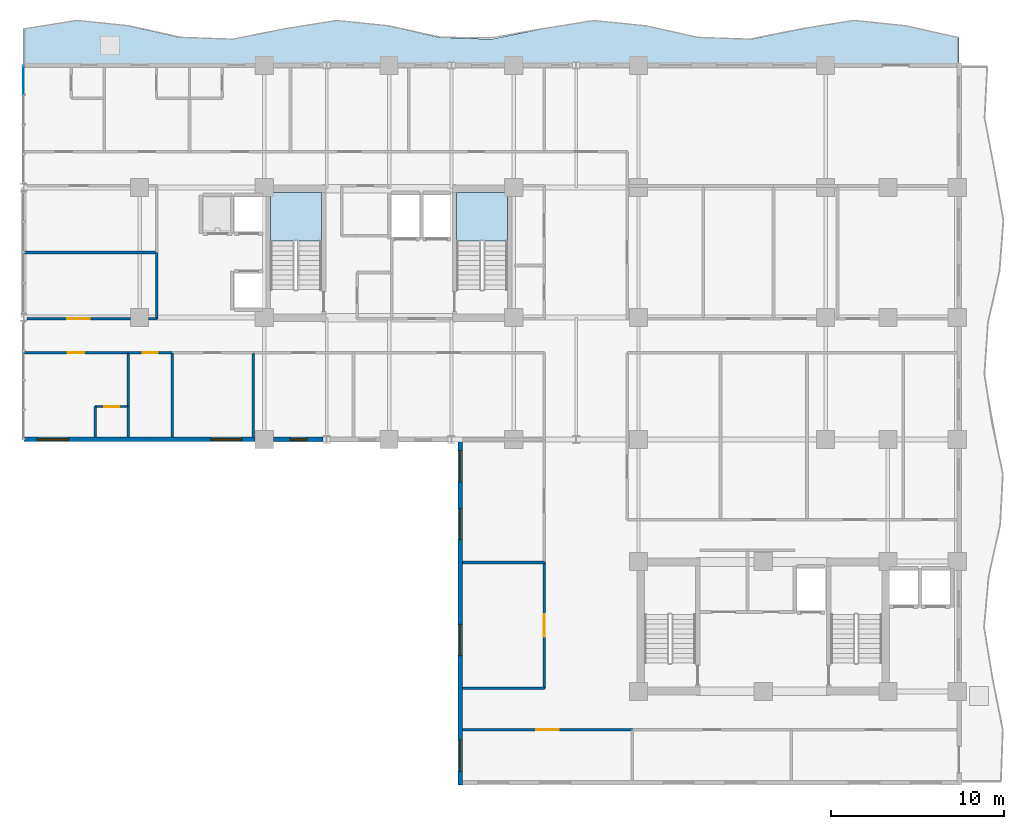
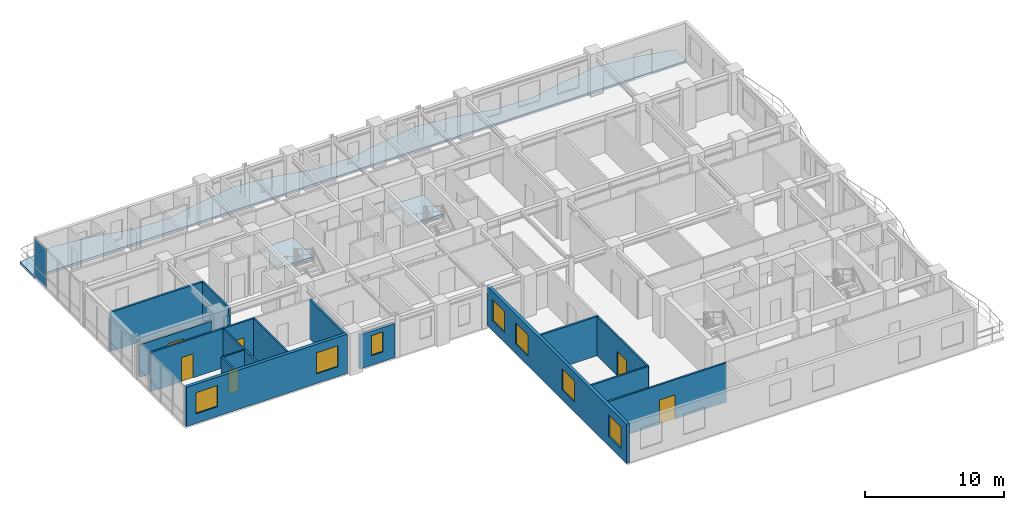
# One storey, part 10 of 20: 19 walls, 7 windows, 6 doors, 3 slabs, 2 plates, 13 openings, 3 elements without a shape of their own.
"""IFC4 building model written with IfcOpenShell, lengths in metres."""

from ifc_helpers import new_model, si_unit, direction, frame, frame_2d, origin, origin_2d, place, context, subcontext, project, spatial, polyline, rectangle, outline, extrude, source, transform, mapped, material, layer, layer_set, type_object, element, fill, aggregate, save


model = new_model("IFC4")

# Units and contexts
model_context = context("Model", 3, precision=1e-05, world=origin(), true_north=direction((0.0, 1.0)))
body_context = subcontext(model_context, "Body", "Model", "MODEL_VIEW")
ifc_project = project(units=[si_unit("LENGTHUNIT", "METRE"), si_unit("AREAUNIT", "SQUARE_METRE"), si_unit("VOLUMEUNIT", "CUBIC_METRE"), si_unit("PLANEANGLEUNIT", "RADIAN"), si_unit("MASSUNIT", "GRAM", prefix="KILO")], contexts=[model_context])

# Site, building, storey
site_placement = place(None, origin())
site = spatial("IfcSite", under=ifc_project, at=site_placement, CompositionType="ELEMENT")
building_placement = place(site_placement, origin())
building = spatial("IfcBuilding", under=site, at=building_placement, Name="Kaliganga Portal Commons", CompositionType="ELEMENT")
storey_placement = place(building_placement, frame((0.0, 0.0, 155.0)))
storey = spatial("IfcBuildingStorey", under=building, at=storey_placement, Name="L39", CompositionType="ELEMENT", Elevation=155.0)

# Slab
ifc_material_1 = material(Name="Concrete C40/50", Category="concrete")
ifc_layer_1 = layer(ifc_material_1, 0.2099609375)
ifc_layer_set_1 = layer_set([ifc_layer_1], Name="Concrete C40/50")
slab_type_1 = type_object("IfcSlabType", Name="SLB-BALC-210", PredefinedType="FLOOR", material=ifc_layer_set_1)
slab_1_placement = place(storey_placement, frame((0.0, 0.0, -0.2099609375)))
element("IfcSlab", 1, at=slab_1_placement, inside=storey, type_object=slab_type_1, Name="Scalloped Tree-Planter Balcony Slab L39 balc_north", PredefinedType="FLOOR", context=body_context, shape_type="SweptSolid", body=[
    extrude(outline(polyline([(54.5, 43.199951171875), (54.5, 44.8125), (51.5, 45.484130859375), (48.5, 45.79296875), (45.5, 45.31201171875), (42.5, 44.7060546875), (39.5, 44.8125), (36.5, 45.484130859375), (33.5, 45.79296875), (30.5, 45.31201171875), (27.5, 44.7060546875), (24.5, 44.8125), (21.5, 45.484130859375), (18.5, 45.79296875), (15.5, 45.31201171875), (12.5, 44.7060546875), (9.5, 44.8125), (6.5, 45.484130859375), (3.5, 45.79296875), (0.5, 45.31201171875), (0.5, 43.199951171875), (54.5, 43.199951171875)])), origin(), (0.0, 0.0, 1.0), 0.2099609375),
])

# Stair, slab
stair_type = type_object("IfcStairType", Name="ST-CORE-DOGLEG", PredefinedType="HALF_TURN_STAIR", material=ifc_material_1)
stair_1_placement = place(storey_placement, origin())
stair_1 = element("IfcStair", 2, at=stair_1_placement, inside=storey, type_object=stair_type, Name="L39 Protected Exit Stair ST-A1", PredefinedType="HALF_TURN_STAIR")
ifc_layer_2 = layer(ifc_material_1, 0.199951171875)
ifc_layer_set_2 = layer_set([ifc_layer_2], Name="Concrete C40/50")
slab_type_2 = type_object("IfcSlabType", Name="SLB-STAIR-LND", PredefinedType="LANDING", material=ifc_layer_set_2)
slab_2_placement = place(storey_placement, frame((0.0, 0.0, 1.64990234375)))
slab_2 = element("IfcSlab", 3, at=slab_2_placement, type_object=slab_type_2, Name="ST-A1 landing 1", PredefinedType="LANDING", context=body_context, shape_type="SweptSolid", body=[
    extrude(outline(polyline([(17.699951171875, 33.050048828125), (17.699951171875, 35.85009765625), (14.75, 35.85009765625), (14.75, 33.050048828125), (17.699951171875, 33.050048828125)])), origin(), (0.0, 0.0, 1.0), 0.2001953125),
])
aggregate(stair_1, [slab_2])

stair_2_placement = place(storey_placement, origin())
stair_2 = element("IfcStair", 4, at=stair_2_placement, inside=storey, type_object=stair_type, Name="L39 Protected Exit Stair ST-A2", PredefinedType="HALF_TURN_STAIR")
slab_3_placement = place(storey_placement, frame((0.0, 0.0, 1.64990234375)))
slab_3 = element("IfcSlab", 5, at=slab_3_placement, type_object=slab_type_2, Name="ST-A2 landing 1", PredefinedType="LANDING", context=body_context, shape_type="SweptSolid", body=[
    extrude(outline(polyline([(28.449951171875, 33.050048828125), (28.449951171875, 35.85009765625), (25.5, 35.85009765625), (25.5, 33.050048828125), (28.449951171875, 33.050048828125)])), origin(), (0.0, 0.0, 1.0), 0.2001953125),
])
aggregate(stair_2, [slab_3])

# Curtain wall, plates
ifc_material_2 = material(Name="Anodized Aluminium and Laminated Low-E Glass", Category="aluminium")
ifc_layer_3 = layer(ifc_material_2, 0.199951171875)
ifc_layer_set_3 = layer_set([ifc_layer_3], Name="Anodized Aluminium and Laminated Low-E Glass")
curtain_wall_type = type_object("IfcCurtainWallType", Name="CW-SYS-02", PredefinedType="NOTDEFINED", material=ifc_layer_set_3)
curtain_wall_placement = place(storey_placement, origin())
curtain_wall = element("IfcCurtainWall", 6, at=curtain_wall_placement, inside=storey, type_object=curtain_wall_type, Name="CW 02 L39 P1E03S1", PredefinedType="NOTDEFINED")
ifc_material_3 = material(Name="Insulated Dark Spandrel Panel", Category="metal")
ifc_layer_4 = layer(ifc_material_3, 0.044921875)
ifc_layer_set_4 = layer_set([ifc_layer_4], Name="Insulated Dark Spandrel Panel")
plate_type_1 = type_object("IfcPlateType", Name="PLT-SPN-45", PredefinedType="SHEET", material=ifc_layer_set_4)
shared_shape_1 = source(origin(), body_context, "Body", "SweptSolid", [
    extrude(rectangle(XDim=1.67041015625, YDim=0.044921875, at=origin_2d()), origin(), (0.0, 0.0, 1.0), 0.929931640625),
])
plate_1_placement = place(storey_placement, frame((0.5, 42.3447265625, 0.01025390625), z_axis=(0.0, 0.0, 1.0), x_axis=(0.0, -1.0, 0.0)))
plate_1 = element("IfcPlate", 7, at=plate_1_placement, type_object=plate_type_1, Name="CW:02:L39:P1E03S1 Spandrel 00", PredefinedType="SHEET", context=body_context, shape_type="MappedRepresentation", body=[
    mapped(shared_shape_1, transform((0.0, 0.0, 0.0), x_axis=(1.0, 0.0, 0.0), y_axis=(0.0, 1.0, 0.0), z_axis=(0.0, 0.0, 1.0), scale=1.0)),
])
ifc_material_4 = material(Name="Dark Solar-Control Laminated Low-E IGU", Category="glass")
ifc_layer_5 = layer(ifc_material_4, 0.028076171875)
ifc_layer_set_5 = layer_set([ifc_layer_5], Name="Dark Solar-Control Laminated Low-E IGU")
plate_type_2 = type_object("IfcPlateType", Name="PLT-GLZ-28", PredefinedType="CURTAIN_PANEL", material=ifc_layer_set_5)
shared_shape_2 = source(origin(), body_context, "Body", "SweptSolid", [
    extrude(rectangle(XDim=1.67041015625, YDim=0.028076171875, at=origin_2d()), origin(), (0.0, 0.0, 1.0), 2.409912109375),
])
plate_2_placement = place(storey_placement, frame((0.5, 42.3447265625, 0.9599609375), z_axis=(0.0, 0.0, 1.0), x_axis=(0.0, -1.0, 0.0)))
plate_2 = element("IfcPlate", 8, at=plate_2_placement, type_object=plate_type_2, Name="CW:02:L39:P1E03S1 Vision IGU 00", PredefinedType="CURTAIN_PANEL", context=body_context, shape_type="MappedRepresentation", body=[
    mapped(shared_shape_2, transform((0.0, 0.0, 0.0), x_axis=(1.0, 0.0, 0.0), y_axis=(0.0, 1.0, 0.0), z_axis=(0.0, 0.0, 1.0), scale=1.0)),
])
aggregate(curtain_wall, [plate_1, plate_2])

# Wall, openings, windows
ifc_material_5 = material(Name="Insulated Aluminium-Clad Spandrel Assembly", Category="aluminium")
ifc_layer_6 = layer(ifc_material_5, 0.260009765625)
ifc_layer_set_6 = layer_set([ifc_layer_6], Name="Insulated Aluminium-Clad Spandrel Assembly")
wall_type_1 = type_object("IfcWallType", Name="WL-EXT-SPAND-260", PredefinedType="STANDARD", material=ifc_layer_set_6)
wall_1_placement = place(storey_placement, frame((13.8740234375, 21.60009765625, 0.0), z_axis=(0.0, 0.0, 1.0), x_axis=(-1.0, 0.0, 0.0)))
wall_1 = element("IfcWall", 9, at=wall_1_placement, inside=storey, type_object=wall_type_1, Name="Exterior Envelope Wall L39 P1-E04-S1", PredefinedType="STANDARD", context=body_context, shape_type="SweptSolid", body=[
    extrude(rectangle(XDim=13.3369140625, YDim=0.260009765625, at=frame_2d((6.66845703125, 0.0))), origin(), (0.0, 0.0, 1.0), 3.43994140625),
])
opening_1_placement = place(wall_1_placement, frame((0.76708984375, 0.0, 0.85009765625)))
opening_1 = element("IfcOpeningElement", 10, at=opening_1_placement, cuts=wall_1, Name="Opening W-01", PredefinedType="OPENING", context=body_context, shape_type="SweptSolid", body=[
    extrude(rectangle(XDim=1.800048828125, YDim=1.85009765625, at=frame_2d((0.89990234375, 0.925048828125))), frame((0.0, 0.14013671875, 0.0), z_axis=(0.0, -1.0, 0.0), x_axis=(1.0, 0.0, 0.0)), (0.0, 0.0, 1.0), 0.280029296875),
])
opening_2_placement = place(wall_1_placement, frame((10.77001953125, 0.0, 0.85009765625)))
opening_2 = element("IfcOpeningElement", 11, at=opening_2_placement, cuts=wall_1, Name="Opening W-01", PredefinedType="OPENING", context=body_context, shape_type="SweptSolid", body=[
    extrude(rectangle(XDim=1.800048828125, YDim=1.85009765625, at=frame_2d((0.89990234375, 0.925048828125))), frame((0.0, 0.14013671875, 0.0), z_axis=(0.0, -1.0, 0.0), x_axis=(1.0, 0.0, 0.0)), (0.0, 0.0, 1.0), 0.280029296875),
])
ifc_material_6 = material(Name="Thermally Broken Aluminium and Low-E Double Glazing", Category="aluminium")
window_type_1 = type_object("IfcWindowType", Name="WIN-STD-1800", PartitioningType="DOUBLE_PANEL_VERTICAL", PredefinedType="WINDOW", material=ifc_material_6)
window_1_placement = place(opening_1_placement, origin())
window_1 = element("IfcWindow", 12, at=window_1_placement, inside=storey, type_object=window_type_1, Name="Facade Window L39-P1E04S1-00", OverallHeight=1.85009765625, OverallWidth=1.800048828125, PartitioningType="SINGLE_PANEL", PredefinedType="WINDOW", context=body_context, shape_type="SweptSolid", body=[
    extrude(rectangle(XDim=1.800048828125, YDim=1.85009765625, at=frame_2d((0.89990234375, 0.925048828125))), frame((0.0, 0.030029296875, 0.0), z_axis=(0.0, -1.0, 0.0), x_axis=(1.0, 0.0, 0.0)), (0.0, 0.0, 1.0), 0.06005859375),
])
fill(opening_1, window_1)
window_2_placement = place(opening_2_placement, origin())
window_2 = element("IfcWindow", 13, at=window_2_placement, inside=storey, type_object=window_type_1, Name="Facade Window L39-P1E04S1-03", OverallHeight=1.85009765625, OverallWidth=1.800048828125, PartitioningType="SINGLE_PANEL", PredefinedType="WINDOW", context=body_context, shape_type="SweptSolid", body=[
    extrude(rectangle(XDim=1.800048828125, YDim=1.85009765625, at=frame_2d((0.89990234375, 0.925048828125))), frame((0.0, 0.030029296875, 0.0), z_axis=(0.0, -1.0, 0.0), x_axis=(1.0, 0.0, 0.0)), (0.0, 0.0, 1.0), 0.06005859375),
])
fill(opening_2, window_2)

# Wall, opening, window
wall_2_placement = place(storey_placement, frame((17.797119140625, 21.60009765625, 0.0), z_axis=(0.0, 0.0, 1.0), x_axis=(-1.0, 0.0, 0.0)))
wall_2 = element("IfcWall", 14, at=wall_2_placement, inside=storey, type_object=wall_type_1, Name="Exterior Envelope Wall L39 P1-E04-S2", PredefinedType="STANDARD", context=body_context, shape_type="SweptSolid", body=[
    extrude(rectangle(XDim=2.87109375, YDim=0.260009765625, at=frame_2d((1.435546875, 0.0))), origin(), (0.0, 0.0, 1.0), 2.989990234375),
])
opening_3_placement = place(wall_2_placement, frame((0.96044921875, 0.0, 0.85009765625)))
opening_3 = element("IfcOpeningElement", 15, at=opening_3_placement, cuts=wall_2, Name="Opening W-04", PredefinedType="OPENING", context=body_context, shape_type="SweptSolid", body=[
    extrude(rectangle(XDim=0.949951171875, YDim=1.75, at=frame_2d((0.47509765625, 0.875))), frame((0.0, 0.14013671875, 0.0), z_axis=(0.0, -1.0, 0.0), x_axis=(1.0, 0.0, 0.0)), (0.0, 0.0, 1.0), 0.280029296875),
])
window_type_2 = type_object("IfcWindowType", Name="WIN-NARROW-950", PartitioningType="SINGLE_PANEL", PredefinedType="WINDOW", material=ifc_material_6)
window_3_placement = place(opening_3_placement, origin())
window_3 = element("IfcWindow", 16, at=window_3_placement, inside=storey, type_object=window_type_2, Name="Facade Window L39-P1E04S2-00", OverallHeight=1.75, OverallWidth=0.949951171875, PartitioningType="SINGLE_PANEL", PredefinedType="WINDOW", context=body_context, shape_type="SweptSolid", body=[
    extrude(rectangle(XDim=0.949951171875, YDim=1.75, at=frame_2d((0.47509765625, 0.875))), frame((0.0, 0.030029296875, 0.0), z_axis=(0.0, -1.0, 0.0), x_axis=(1.0, 0.0, 0.0)), (0.0, 0.0, 1.0), 0.06005859375),
])
fill(opening_3, window_3)

# Wall, openings, windows
wall_3_placement = place(storey_placement, frame((25.699951171875, 1.669921875, 0.0), z_axis=(0.0, 0.0, 1.0), x_axis=(0.0, 1.0, 0.0)))
wall_3 = element("IfcWall", 17, at=wall_3_placement, inside=storey, type_object=wall_type_1, Name="Exterior Envelope Wall L39 P1-E05-S1", PredefinedType="STANDARD", context=body_context, shape_type="SweptSolid", body=[
    extrude(rectangle(XDim=20.06005859375, YDim=0.260009765625, at=frame_2d((10.030029296875, 0.0))), origin(), (0.0, 0.0, 1.0), 3.43994140625),
])
opening_4_placement = place(wall_3_placement, frame((0.771728515625, 0.0, 0.85009765625)))
opening_4 = element("IfcOpeningElement", 18, at=opening_4_placement, cuts=wall_3, Name="Opening W-01", PredefinedType="OPENING", context=body_context, shape_type="SweptSolid", body=[
    extrude(rectangle(XDim=1.800048828125, YDim=1.85009765625, at=frame_2d((0.89990234375, 0.925048828125))), frame((0.0, 0.14013671875, 0.0), z_axis=(0.0, -1.0, 0.0), x_axis=(1.0, 0.0, 0.0)), (0.0, 0.0, 1.0), 0.280029296875),
])
opening_5_placement = place(wall_3_placement, frame((7.458251953125, 0.0, 0.85009765625)))
opening_5 = element("IfcOpeningElement", 19, at=opening_5_placement, cuts=wall_3, Name="Opening W-01", PredefinedType="OPENING", context=body_context, shape_type="SweptSolid", body=[
    extrude(rectangle(XDim=1.800048828125, YDim=1.85009765625, at=frame_2d((0.89990234375, 0.925048828125))), frame((0.0, 0.14013671875, 0.0), z_axis=(0.0, -1.0, 0.0), x_axis=(1.0, 0.0, 0.0)), (0.0, 0.0, 1.0), 0.280029296875),
])
opening_6_placement = place(wall_3_placement, frame((14.14501953125, 0.0, 0.85009765625)))
opening_6 = element("IfcOpeningElement", 20, at=opening_6_placement, cuts=wall_3, Name="Opening W-01", PredefinedType="OPENING", context=body_context, shape_type="SweptSolid", body=[
    extrude(rectangle(XDim=1.800048828125, YDim=1.85009765625, at=frame_2d((0.89990234375, 0.925048828125))), frame((0.0, 0.14013671875, 0.0), z_axis=(0.0, -1.0, 0.0), x_axis=(1.0, 0.0, 0.0)), (0.0, 0.0, 1.0), 0.280029296875),
])
opening_7_placement = place(wall_3_placement, frame((17.48828125, 0.0, 0.85009765625)))
opening_7 = element("IfcOpeningElement", 21, at=opening_7_placement, cuts=wall_3, Name="Opening W-01", PredefinedType="OPENING", context=body_context, shape_type="SweptSolid", body=[
    extrude(rectangle(XDim=1.800048828125, YDim=1.85009765625, at=frame_2d((0.89990234375, 0.925048828125))), frame((0.0, 0.14013671875, 0.0), z_axis=(0.0, -1.0, 0.0), x_axis=(1.0, 0.0, 0.0)), (0.0, 0.0, 1.0), 0.280029296875),
])
window_4_placement = place(opening_4_placement, origin())
window_4 = element("IfcWindow", 22, at=window_4_placement, inside=storey, type_object=window_type_1, Name="Facade Window L39-P1E05S1-00", OverallHeight=1.85009765625, OverallWidth=1.800048828125, PartitioningType="SINGLE_PANEL", PredefinedType="WINDOW", context=body_context, shape_type="SweptSolid", body=[
    extrude(rectangle(XDim=1.800048828125, YDim=1.85009765625, at=frame_2d((0.89990234375, 0.925048828125))), frame((0.0, 0.030029296875, 0.0), z_axis=(0.0, -1.0, 0.0), x_axis=(1.0, 0.0, 0.0)), (0.0, 0.0, 1.0), 0.06005859375),
])
fill(opening_4, window_4)
window_5_placement = place(opening_5_placement, origin())
window_5 = element("IfcWindow", 23, at=window_5_placement, inside=storey, type_object=window_type_1, Name="Facade Window L39-P1E05S1-02", OverallHeight=1.85009765625, OverallWidth=1.800048828125, PartitioningType="SINGLE_PANEL", PredefinedType="WINDOW", context=body_context, shape_type="SweptSolid", body=[
    extrude(rectangle(XDim=1.800048828125, YDim=1.85009765625, at=frame_2d((0.89990234375, 0.925048828125))), frame((0.0, 0.030029296875, 0.0), z_axis=(0.0, -1.0, 0.0), x_axis=(1.0, 0.0, 0.0)), (0.0, 0.0, 1.0), 0.06005859375),
])
fill(opening_5, window_5)
window_6_placement = place(opening_6_placement, origin())
window_6 = element("IfcWindow", 24, at=window_6_placement, inside=storey, type_object=window_type_1, Name="Facade Window L39-P1E05S1-04", OverallHeight=1.85009765625, OverallWidth=1.800048828125, PartitioningType="SINGLE_PANEL", PredefinedType="WINDOW", context=body_context, shape_type="SweptSolid", body=[
    extrude(rectangle(XDim=1.800048828125, YDim=1.85009765625, at=frame_2d((0.89990234375, 0.925048828125))), frame((0.0, 0.030029296875, 0.0), z_axis=(0.0, -1.0, 0.0), x_axis=(1.0, 0.0, 0.0)), (0.0, 0.0, 1.0), 0.06005859375),
])
fill(opening_6, window_6)
window_7_placement = place(opening_7_placement, origin())
window_7 = element("IfcWindow", 25, at=window_7_placement, inside=storey, type_object=window_type_1, Name="Facade Window L39-P1E05S1-05", OverallHeight=1.85009765625, OverallWidth=1.800048828125, PartitioningType="SINGLE_PANEL", PredefinedType="WINDOW", context=body_context, shape_type="SweptSolid", body=[
    extrude(rectangle(XDim=1.800048828125, YDim=1.85009765625, at=frame_2d((0.89990234375, 0.925048828125))), frame((0.0, 0.030029296875, 0.0), z_axis=(0.0, -1.0, 0.0), x_axis=(1.0, 0.0, 0.0)), (0.0, 0.0, 1.0), 0.06005859375),
])
fill(opening_7, window_7)

# Wall, opening, door
ifc_material_7 = material(Name="Fire-Rated Gypsum Board on Steel Stud", Category="steel")
ifc_layer_7 = layer(ifc_material_7, 0.14990234375)
ifc_layer_set_7 = layer_set([ifc_layer_7], Name="Fire-Rated Gypsum Board on Steel Stud")
wall_type_2 = type_object("IfcWallType", Name="WL-PART-CORR-150", PredefinedType="PARTITIONING", material=ifc_layer_set_7)
wall_4_placement = place(storey_placement, frame((25.83203125, 4.840087890625, 0.0), z_axis=(0.0, 0.0, 1.0), x_axis=(1.0, 0.0, 0.0)))
wall_4 = element("IfcWall", 26, at=wall_4_placement, inside=storey, type_object=wall_type_2, Name="Interior Partition L39-013", PredefinedType="PARTITIONING", context=body_context, shape_type="SweptSolid", body=[
    extrude(rectangle(XDim=9.807861328125, YDim=0.14990234375, at=frame_2d((4.90380859375, 0.0))), origin(), (0.0, 0.0, 1.0), 3.43994140625),
])
opening_8_placement = place(wall_4_placement, frame((4.25390625, 0.0, 0.0)))
opening_8 = element("IfcOpeningElement", 27, at=opening_8_placement, cuts=wall_4, Name="Opening RD-03", PredefinedType="OPENING", context=body_context, shape_type="SweptSolid", body=[
    extrude(rectangle(XDim=1.300048828125, YDim=2.1201171875, at=frame_2d((0.64990234375, 1.06005859375))), frame((0.0, 0.0849609375, 0.0), z_axis=(0.0, -1.0, 0.0), x_axis=(1.0, 0.0, 0.0)), (0.0, 0.0, 1.0), 0.169921875),
])
ifc_material_8 = material(Name="Glazed Timber Seminar Vision Door", Category="wood")
door_type_1 = type_object("IfcDoorType", Name="DR-STUDY-1300", OperationType="DOUBLE_DOOR_SINGLE_SWING", PredefinedType="DOOR", material=ifc_material_8)
door_1_placement = place(opening_8_placement, origin())
door_1 = element("IfcDoor", 28, at=door_1_placement, inside=storey, type_object=door_type_1, Name="Interior Door L39-BS01", OperationType="DOUBLE_DOOR_SINGLE_SWING", OverallHeight=2.1201171875, OverallWidth=1.300048828125, PredefinedType="DOOR", context=body_context, shape_type="SweptSolid", body=[
    extrude(rectangle(XDim=1.300048828125, YDim=2.1201171875, at=frame_2d((0.64990234375, 1.06005859375))), frame((0.0, 0.02490234375, 0.0), z_axis=(0.0, -1.0, 0.0), x_axis=(1.0, 0.0, 0.0)), (0.0, 0.0, 1.0), 0.050048828125),
])
fill(opening_8, door_1)

wall_5_placement = place(storey_placement, frame((0.701904296875, 28.56005859375, 0.0), z_axis=(0.0, 0.0, 1.0), x_axis=(1.0, 0.0, 0.0)))
wall_5 = element("IfcWall", 29, at=wall_5_placement, inside=storey, type_object=wall_type_2, Name="Interior Partition L39-018", PredefinedType="PARTITIONING", context=body_context, shape_type="SweptSolid", body=[
    extrude(rectangle(XDim=5.97314453125, YDim=0.14990234375, at=frame_2d((2.986572265625, 0.0))), origin(), (0.0, 0.0, 1.0), 2.840087890625),
])
opening_9_placement = place(wall_5_placement, frame((2.33642578125, 0.0, 0.0)))
opening_9 = element("IfcOpeningElement", 30, at=opening_9_placement, cuts=wall_5, Name="Opening RD-03", PredefinedType="OPENING", context=body_context, shape_type="SweptSolid", body=[
    extrude(rectangle(XDim=1.300048828125, YDim=2.1201171875, at=frame_2d((0.64990234375, 1.06005859375))), frame((0.0, 0.0849609375, 0.0), z_axis=(0.0, -1.0, 0.0), x_axis=(1.0, 0.0, 0.0)), (0.0, 0.0, 1.0), 0.169921875),
])
door_2_placement = place(opening_9_placement, origin())
door_2 = element("IfcDoor", 31, at=door_2_placement, inside=storey, type_object=door_type_1, Name="Interior Door L39-AW01", OperationType="DOUBLE_DOOR_SINGLE_SWING", OverallHeight=2.1201171875, OverallWidth=1.300048828125, PredefinedType="DOOR", context=body_context, shape_type="SweptSolid", body=[
    extrude(rectangle(XDim=1.300048828125, YDim=2.1201171875, at=frame_2d((0.64990234375, 1.06005859375))), frame((0.0, 0.02490234375, 0.0), z_axis=(0.0, -1.0, 0.0), x_axis=(1.0, 0.0, 0.0)), (0.0, 0.0, 1.0), 0.050048828125),
])
fill(opening_9, door_2)

# Wall
wall_6_placement = place(storey_placement, frame((7.72509765625, 28.56005859375, 0.0), z_axis=(0.0, 0.0, 1.0), x_axis=(1.0, 0.0, 0.0)))
element("IfcWall", 32, at=wall_6_placement, inside=storey, type_object=wall_type_2, Name="Interior Partition L39-019", PredefinedType="PARTITIONING", context=body_context, shape_type="SweptSolid", body=[
    extrude(rectangle(XDim=0.474853515625, YDim=0.14990234375, at=frame_2d((0.2373046875, 0.0))), origin(), (0.0, 0.0, 1.0), 2.840087890625),
])

# Wall, opening, door
wall_7_placement = place(storey_placement, frame((30.56005859375, 7.239990234375, 0.0), z_axis=(0.0, 0.0, 1.0), x_axis=(0.0, 1.0, 0.0)))
wall_7 = element("IfcWall", 33, at=wall_7_placement, inside=storey, type_object=wall_type_2, Name="Interior Partition L39-023", PredefinedType="PARTITIONING", context=body_context, shape_type="SweptSolid", body=[
    extrude(rectangle(XDim=7.260009765625, YDim=0.14990234375, at=frame_2d((3.6298828125, 0.0))), origin(), (0.0, 0.0, 1.0), 3.43994140625),
])
opening_10_placement = place(wall_7_placement, frame((2.97998046875, 0.0, 0.0)))
opening_10 = element("IfcOpeningElement", 34, at=opening_10_placement, cuts=wall_7, Name="Opening RD-03", PredefinedType="OPENING", context=body_context, shape_type="SweptSolid", body=[
    extrude(rectangle(XDim=1.300048828125, YDim=2.1201171875, at=frame_2d((0.64990234375, 1.06005859375))), frame((0.0, 0.0849609375, 0.0), z_axis=(0.0, -1.0, 0.0), x_axis=(1.0, 0.0, 0.0)), (0.0, 0.0, 1.0), 0.169921875),
])
door_3_placement = place(opening_10_placement, origin())
door_3 = element("IfcDoor", 35, at=door_3_placement, inside=storey, type_object=door_type_1, Name="Interior Door L39-KW01", OperationType="DOUBLE_DOOR_SINGLE_SWING", OverallHeight=2.1201171875, OverallWidth=1.300048828125, PredefinedType="DOOR", context=body_context, shape_type="SweptSolid", body=[
    extrude(rectangle(XDim=1.300048828125, YDim=2.1201171875, at=frame_2d((0.64990234375, 1.06005859375))), frame((0.0, 0.02490234375, 0.0), z_axis=(0.0, -1.0, 0.0), x_axis=(1.0, 0.0, 0.0)), (0.0, 0.0, 1.0), 0.050048828125),
])
fill(opening_10, door_3)

wall_8_placement = place(storey_placement, frame((0.52001953125, 26.60009765625, 0.0), z_axis=(0.0, 0.0, 1.0), x_axis=(1.0, 0.0, 0.0)))
wall_8 = element("IfcWall", 36, at=wall_8_placement, inside=storey, type_object=wall_type_2, Name="Interior Partition L39-028", PredefinedType="PARTITIONING", context=body_context, shape_type="SweptSolid", body=[
    extrude(rectangle(XDim=6.02001953125, YDim=0.14990234375, at=frame_2d((3.010009765625, 0.0))), origin(), (0.0, 0.0, 1.0), 3.43994140625),
])
opening_11_placement = place(wall_8_placement, frame((2.534912109375, 0.0, 0.0)))
opening_11 = element("IfcOpeningElement", 37, at=opening_11_placement, cuts=wall_8, Name="Opening UD-01", PredefinedType="OPENING", context=body_context, shape_type="SweptSolid", body=[
    extrude(rectangle(XDim=0.949951171875, YDim=2.10009765625, at=frame_2d((0.47509765625, 1.050048828125))), frame((0.0, 0.0849609375, 0.0), z_axis=(0.0, -1.0, 0.0), x_axis=(1.0, 0.0, 0.0)), (0.0, 0.0, 1.0), 0.169921875),
])
ifc_material_9 = material(Name="Solid-Core Timber Acoustic Fire Door", Category="wood")
door_type_2 = type_object("IfcDoorType", Name="DR-UNIT-950", OperationType="NOTDEFINED", PredefinedType="DOOR", material=ifc_material_9)
door_4_placement = place(opening_11_placement, origin())
door_4 = element("IfcDoor", 38, at=door_4_placement, inside=storey, type_object=door_type_2, Name="Interior Door L39-AS01", OperationType="SINGLE_SWING_LEFT", OverallHeight=2.10009765625, OverallWidth=0.949951171875, PredefinedType="DOOR", context=body_context, shape_type="SweptSolid", body=[
    extrude(rectangle(XDim=0.949951171875, YDim=2.10009765625, at=frame_2d((0.47509765625, 1.050048828125))), frame((0.0, 0.02490234375, 0.0), z_axis=(0.0, -1.0, 0.0), x_axis=(1.0, 0.0, 0.0)), (0.0, 0.0, 1.0), 0.050048828125),
])
fill(opening_11, door_4)

# Walls
wall_9_placement = place(storey_placement, frame((25.83203125, 7.239990234375, 0.0), z_axis=(0.0, 0.0, 1.0), x_axis=(1.0, 0.0, 0.0)))
element("IfcWall", 39, at=wall_9_placement, inside=storey, type_object=wall_type_2, Name="Interior Partition L39-039", PredefinedType="PARTITIONING", context=body_context, shape_type="SweptSolid", body=[
    extrude(rectangle(XDim=4.72802734375, YDim=0.14990234375, at=frame_2d((2.364013671875, 0.0))), origin(), (0.0, 0.0, 1.0), 3.43994140625),
])
wall_10_placement = place(storey_placement, frame((8.199951171875, 28.56005859375, 0.0), z_axis=(0.0, 0.0, 1.0), x_axis=(0.0, 1.0, 0.0)))
element("IfcWall", 40, at=wall_10_placement, inside=storey, type_object=wall_type_2, Name="Interior Partition L39-047", PredefinedType="PARTITIONING", context=body_context, shape_type="SweptSolid", body=[
    extrude(rectangle(XDim=3.83984375, YDim=0.14990234375, at=frame_2d((1.919921875, 0.0))), origin(), (0.0, 0.0, 1.0), 3.43994140625),
])

# Wall, opening, door
wall_11_placement = place(storey_placement, frame((6.5400390625, 26.60009765625, 0.0), z_axis=(0.0, 0.0, 1.0), x_axis=(1.0, 0.0, 0.0)))
wall_11 = element("IfcWall", 41, at=wall_11_placement, inside=storey, type_object=wall_type_2, Name="Interior Partition L39-060", PredefinedType="PARTITIONING", context=body_context, shape_type="SweptSolid", body=[
    extrude(rectangle(XDim=2.5400390625, YDim=0.14990234375, at=frame_2d((1.27001953125, 0.0))), origin(), (0.0, 0.0, 1.0), 3.43994140625),
])
opening_12_placement = place(wall_11_placement, frame((0.844970703125, 0.0, 0.0)))
opening_12 = element("IfcOpeningElement", 42, at=opening_12_placement, cuts=wall_11, Name="Opening WD-01", PredefinedType="OPENING", context=body_context, shape_type="SweptSolid", body=[
    extrude(rectangle(XDim=0.85009765625, YDim=2.0400390625, at=frame_2d((0.425048828125, 1.02001953125))), frame((0.0, 0.0849609375, 0.0), z_axis=(0.0, -1.0, 0.0), x_axis=(1.0, 0.0, 0.0)), (0.0, 0.0, 1.0), 0.169921875),
])
ifc_material_10 = material(Name="Moisture-Resistant Laminate Timber Door", Category="wood")
door_type_3 = type_object("IfcDoorType", Name="DR-WET-850", OperationType="NOTDEFINED", PredefinedType="DOOR", material=ifc_material_10)
door_5_placement = place(opening_12_placement, origin())
door_5 = element("IfcDoor", 43, at=door_5_placement, inside=storey, type_object=door_type_3, Name="Interior Door L39-AS02", OperationType="SINGLE_SWING_LEFT", OverallHeight=2.0400390625, OverallWidth=0.85009765625, PredefinedType="DOOR", context=body_context, shape_type="SweptSolid", body=[
    extrude(rectangle(XDim=0.85009765625, YDim=2.0400390625, at=frame_2d((0.425048828125, 1.02001953125))), frame((0.0, 0.02490234375, 0.0), z_axis=(0.0, -1.0, 0.0), x_axis=(1.0, 0.0, 0.0)), (0.0, 0.0, 1.0), 0.050048828125),
])
fill(opening_12, door_5)

# Walls
ifc_material_11 = material(Name="Twin-Stud Acoustic Gypsum Partition", Category="gypsum")
ifc_layer_8 = layer(ifc_material_11, 0.1650390625)
ifc_layer_set_8 = layer_set([ifc_layer_8], Name="Twin-Stud Acoustic Gypsum Partition")
wall_type_3 = type_object("IfcWallType", Name="WL-PART-UNIT-165", PredefinedType="PARTITIONING", material=ifc_layer_set_8)
wall_12_placement = place(storey_placement, frame((0.52001953125, 32.39990234375, 0.0), z_axis=(0.0, 0.0, 1.0), x_axis=(1.0, 0.0, 0.0)))
element("IfcWall", 44, at=wall_12_placement, inside=storey, type_object=wall_type_3, Name="Interior Partition L39-071", PredefinedType="PARTITIONING", context=body_context, shape_type="SweptSolid", body=[
    extrude(rectangle(XDim=7.679931640625, YDim=0.1650390625, at=frame_2d((3.83984375, 0.0))), origin(), (0.0, 0.0, 1.0), 3.43994140625),
])
wall_13_placement = place(storey_placement, frame((13.760009765625, 21.73193359375, 0.0), z_axis=(0.0, 0.0, 1.0), x_axis=(0.0, 1.0, 0.0)))
element("IfcWall", 45, at=wall_13_placement, inside=storey, type_object=wall_type_3, Name="Interior Partition L39-077", PredefinedType="PARTITIONING", context=body_context, shape_type="SweptSolid", body=[
    extrude(rectangle(XDim=4.8681640625, YDim=0.1650390625, at=frame_2d((2.43408203125, 0.0))), origin(), (0.0, 0.0, 1.0), 3.43994140625),
])
wall_14_placement = place(storey_placement, frame((25.83203125, 14.5, 0.0), z_axis=(0.0, 0.0, 1.0), x_axis=(1.0, 0.0, 0.0)))
element("IfcWall", 46, at=wall_14_placement, inside=storey, type_object=wall_type_3, Name="Interior Partition L39-082", PredefinedType="PARTITIONING", context=body_context, shape_type="SweptSolid", body=[
    extrude(rectangle(XDim=4.72802734375, YDim=0.1650390625, at=frame_2d((2.364013671875, 0.0))), origin(), (0.0, 0.0, 1.0), 3.43994140625),
])

# Wall, opening, door
ifc_material_12 = material(Name="Cement-Board Wet-Room Partition", Category="gypsum")
ifc_layer_9 = layer(ifc_material_12, 0.135009765625)
ifc_layer_set_9 = layer_set([ifc_layer_9], Name="Cement-Board Wet-Room Partition")
wall_type_4 = type_object("IfcWallType", Name="WL-PART-WET-135", PredefinedType="PARTITIONING", material=ifc_layer_set_9)
wall_15_placement = place(storey_placement, frame((4.639892578125, 23.5, 0.0), z_axis=(0.0, 0.0, 1.0), x_axis=(1.0, 0.0, 0.0)))
wall_15 = element("IfcWall", 47, at=wall_15_placement, inside=storey, type_object=wall_type_4, Name="Interior Partition L39-006", PredefinedType="PARTITIONING", context=body_context, shape_type="SweptSolid", body=[
    extrude(rectangle(XDim=1.900146484375, YDim=0.135009765625, at=frame_2d((0.9501953125, 0.0))), origin(), (0.0, 0.0, 1.0), 3.43994140625),
])
opening_13_placement = place(wall_15_placement, frame((0.52490234375, 0.0, 0.0)))
opening_13 = element("IfcOpeningElement", 48, at=opening_13_placement, cuts=wall_15, Name="Opening WD-01", PredefinedType="OPENING", context=body_context, shape_type="SweptSolid", body=[
    extrude(rectangle(XDim=0.85009765625, YDim=2.0400390625, at=frame_2d((0.425048828125, 1.02001953125))), frame((0.0, 0.07763671875, 0.0), z_axis=(0.0, -1.0, 0.0), x_axis=(1.0, 0.0, 0.0)), (0.0, 0.0, 1.0), 0.155029296875),
])
door_6_placement = place(opening_13_placement, origin())
door_6 = element("IfcDoor", 49, at=door_6_placement, inside=storey, type_object=door_type_3, Name="Interior Door L39-AS01E", OperationType="SINGLE_SWING_LEFT", OverallHeight=2.0400390625, OverallWidth=0.85009765625, PredefinedType="DOOR", context=body_context, shape_type="SweptSolid", body=[
    extrude(rectangle(XDim=0.85009765625, YDim=2.0400390625, at=frame_2d((0.425048828125, 1.02001953125))), frame((0.0, 0.02490234375, 0.0), z_axis=(0.0, -1.0, 0.0), x_axis=(1.0, 0.0, 0.0)), (0.0, 0.0, 1.0), 0.050048828125),
])
fill(opening_13, door_6)

# Walls
for number, where, z_axis, x_axis, name in (
    (50, (4.639892578125, 21.73193359375, 0.0), (0.0, 0.0, 1.0), (0.0, 1.0, 0.0), "Interior Partition L39-010"),
    (51, (6.5400390625, 21.73193359375, 0.0), (0.0, 0.0, 1.0), (0.0, 1.0, 0.0), "Interior Partition L39-011"),
):
    element("IfcWall", number, at=place(storey_placement, frame(where, z_axis=z_axis, x_axis=x_axis)), inside=storey, type_object=wall_type_4, Name=name, PredefinedType="PARTITIONING", context=body_context, shape_type="SweptSolid", body=[
        extrude(rectangle(XDim=1.76806640625, YDim=0.135009765625, at=frame_2d((0.884033203125, 0.0))), origin(), (0.0, 0.0, 1.0), 3.43994140625),
    ])
wall_16_placement = place(storey_placement, frame((9.080078125, 21.73193359375, 0.0), z_axis=(0.0, 0.0, 1.0), x_axis=(0.0, 1.0, 0.0)))
element("IfcWall", 52, at=wall_16_placement, inside=storey, type_object=wall_type_4, Name="Interior Partition L39-076", PredefinedType="PARTITIONING", context=body_context, shape_type="SweptSolid", body=[
    extrude(rectangle(XDim=4.8681640625, YDim=0.135009765625, at=frame_2d((2.43408203125, 0.0))), origin(), (0.0, 0.0, 1.0), 3.43994140625),
])
wall_17_placement = place(storey_placement, frame((6.5400390625, 23.5, 0.0), z_axis=(0.0, 0.0, 1.0), x_axis=(0.0, 1.0, 0.0)))
element("IfcWall", 53, at=wall_17_placement, inside=storey, type_object=wall_type_4, Name="Interior Partition L39-089", PredefinedType="PARTITIONING", context=body_context, shape_type="SweptSolid", body=[
    extrude(rectangle(XDim=3.10009765625, YDim=0.135009765625, at=frame_2d((1.550048828125, 0.0))), origin(), (0.0, 0.0, 1.0), 3.43994140625),
])

save(model, "model.ifc")
